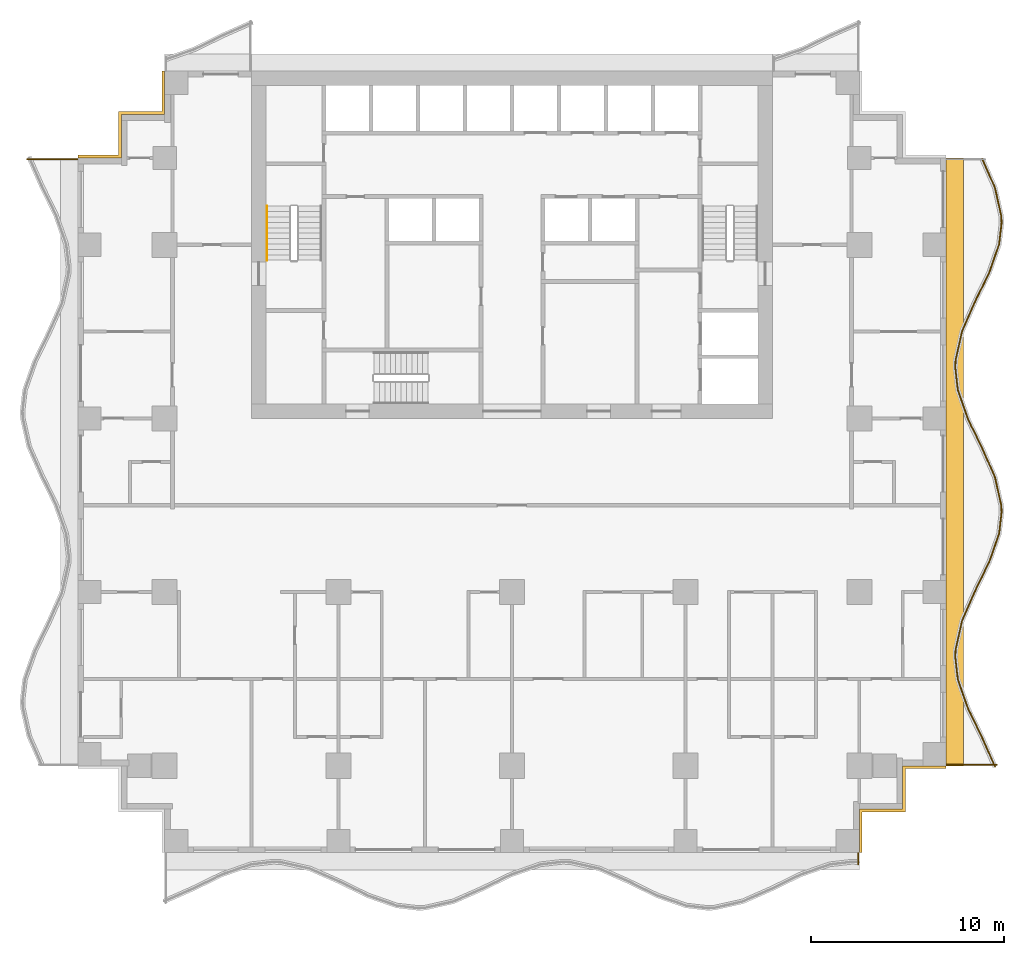
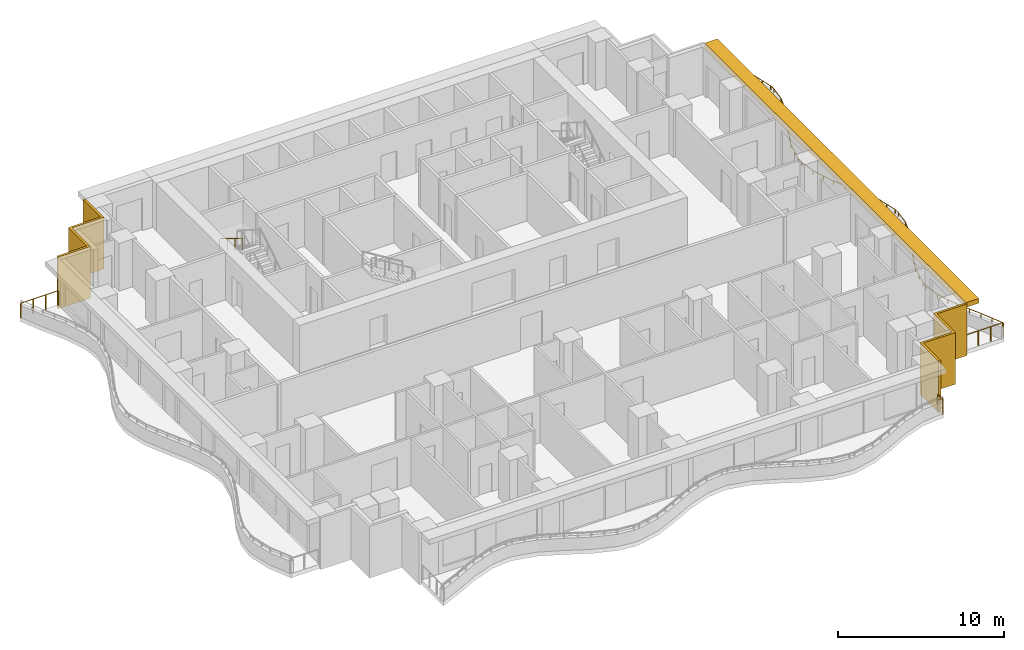
# One storey, part 9 of 10: 5 railings, 3 shading devices.
"""IFC4 building model written with IfcOpenShell, lengths in metres."""

from ifc_helpers import new_model, si_unit, direction, frame, origin, origin_2d, place, context, subcontext, project, spatial, polyline, rectangle, circle, outline, extrude, material, layer, layer_set, type_object, element, save


model = new_model("IFC4")

# Units and contexts
model_context = context("Model", 3, precision=1e-05, world=origin(), true_north=direction((0.0, 1.0)))
body_context = subcontext(model_context, "Body", "Model", "MODEL_VIEW")
ifc_project = project(units=[si_unit("LENGTHUNIT", "METRE"), si_unit("AREAUNIT", "SQUARE_METRE"), si_unit("VOLUMEUNIT", "CUBIC_METRE"), si_unit("PLANEANGLEUNIT", "RADIAN"), si_unit("MASSUNIT", "GRAM", prefix="KILO")], contexts=[model_context])

# Site, building, storey
site_placement = place(None, origin())
site = spatial("IfcSite", under=ifc_project, at=site_placement, CompositionType="ELEMENT")
building_placement = place(site_placement, origin())
building = spatial("IfcBuilding", under=site, at=building_placement, Name="Orbiselva Terraces", CompositionType="ELEMENT")
storey_placement = place(building_placement, frame((0.0, 0.0, 125.0)))
storey = spatial("IfcBuildingStorey", under=building, at=storey_placement, Name="L31", CompositionType="ELEMENT", Elevation=125.0)

# Railings
ifc_material_1 = material(Name="Stainless steel", Category="steel")
railing_type_1 = type_object("IfcRailingType", Name="CORE-HANDRAIL-900", PredefinedType="HANDRAIL", material=ifc_material_1)
railing_1_placement = place(storey_placement, frame((-12.7, 15.5, 2.072727)))
element("IfcRailing", 1, at=railing_1_placement, inside=storey, type_object=railing_type_1, Name="L31 S1 stair handrail 2", PredefinedType="HANDRAIL", context=body_context, shape_type="SweptSolid", body=[
    extrude(circle(Radius=0.024, at=origin_2d()), frame((0.0, 0.0, 0.876), z_axis=(0.0, -0.851088519012, 0.52502222125), x_axis=(1.0, 0.0, 0.0)), (0.0, 0.0, 1.0), 3.289905),
    extrude(circle(Radius=0.021, at=origin_2d()), origin(), (0.0, 0.0, 1.0), 0.852),
    extrude(circle(Radius=0.021, at=origin_2d()), frame((0.0, -0.933333, 0.575758)), (0.0, 0.0, 1.0), 0.852),
    extrude(circle(Radius=0.021, at=origin_2d()), frame((0.0, -1.866667, 1.151515)), (0.0, 0.0, 1.0), 0.852),
    extrude(circle(Radius=0.021, at=origin_2d()), frame((0.0, -2.8, 1.727273)), (0.0, 0.0, 1.0), 0.852),
])
ifc_material_2 = material(Name="Bonded two-ply safety glass balustrade, stainless steel posts", Category="steel")
railing_type_2 = type_object("IfcRailingType", Name="ENV-BALUSTRADE-1200", PredefinedType="BALUSTRADE", material=ifc_material_2)
railing_2_placement = place(storey_placement, frame((25.034136, -13.550394, 0.9)))
element("IfcRailing", 2, at=railing_2_placement, inside=storey, type_object=railing_type_2, Name="Balcony balustrade L31 E", PredefinedType="BALUSTRADE", context=body_context, shape_type="SweptSolid", body=[
    extrude(outline(polyline([(0.028868, 0.0), (0.014434, 0.025), (-0.014434, 0.025), (-0.028868, 0.0), (-0.014434, -0.025), (0.014434, -0.025), (0.028868, 0.0)])), frame((0.0, 0.0, 0.275), z_axis=(-0.403150940408, 0.915133498047, 0.0), x_axis=(-0.915133498047, -0.403150940408, 0.0)), (0.0, 0.0, 1.0), 1.636648),
    extrude(outline(polyline([(0.028868, 0.0), (0.014434, 0.025), (-0.014434, 0.025), (-0.028868, 0.0), (-0.014434, -0.025), (0.014434, -0.025), (0.028868, 0.0)])), frame((-0.659816, 1.497751, 0.275), z_axis=(-0.438812048596, 0.898578870221, 0.0), x_axis=(-0.898578870221, -0.438812048596, 0.0)), (0.0, 0.0, 1.0), 1.674225),
    extrude(outline(polyline([(0.028868, 0.0), (0.014434, 0.025), (-0.014434, 0.025), (-0.028868, 0.0), (-0.014434, -0.025), (0.014434, -0.025), (0.028868, 0.0)])), frame((-1.394486, 3.002174, 0.275), z_axis=(-0.330024597479, 0.943972332783, 0.0), x_axis=(-0.943972332783, -0.330024597479, 0.0)), (0.0, 0.0, 1.0), 1.610253),
    extrude(outline(polyline([(0.028868, 0.0), (0.014434, 0.025), (-0.014434, 0.025), (-0.028868, 0.0), (-0.014434, -0.025), (0.014434, -0.025), (0.028868, 0.0)])), frame((-1.925909, 4.522208, 0.275), z_axis=(-0.115482182324, 0.993309551734, 0.0), x_axis=(-0.993309551734, -0.115482182324, 0.0)), (0.0, 0.0, 1.0), 1.156135),
    extrude(outline(polyline([(0.028868, 0.0), (0.014434, 0.025), (-0.014434, 0.025), (-0.028868, 0.0), (-0.014434, -0.025), (0.014434, -0.025), (0.028868, 0.0)])), frame((-2.059422, 5.670608, 0.275), z_axis=(0.03936915532, 0.999224734286, 0.0), x_axis=(-0.999224734286, 0.03936915532, 0.0)), (0.0, 0.0, 1.0), 0.396376),
    extrude(outline(polyline([(0.028868, 0.0), (0.014434, 0.025), (-0.014434, 0.025), (-0.028868, 0.0), (-0.014434, -0.025), (0.014434, -0.025), (0.028868, 0.0)])), frame((-2.043817, 6.066677, 0.275), z_axis=(0.219015500924, 0.97572137947, 0.0), x_axis=(-0.97572137947, 0.219015500924, 0.0)), (0.0, 0.0, 1.0), 1.560867),
    extrude(outline(polyline([(0.028868, 0.0), (0.014434, 0.025), (-0.014434, 0.025), (-0.028868, 0.0), (-0.014434, -0.025), (0.014434, -0.025), (0.028868, 0.0)])), frame((-1.701963, 7.589648, 0.275), z_axis=(0.403150874148, 0.915133527237, 0.0), x_axis=(-0.915133527237, 0.403150874148, 0.0)), (0.0, 0.0, 1.0), 1.653736),
    extrude(outline(polyline([(0.028868, 0.0), (0.014434, 0.025), (-0.014434, 0.025), (-0.028868, 0.0), (-0.014434, -0.025), (0.014434, -0.025), (0.028868, 0.0)])), frame((-1.035258, 9.103037, 0.275), z_axis=(0.438811978768, 0.89857890432, 0.0), x_axis=(-0.89857890432, 0.438811978768, 0.0)), (0.0, 0.0, 1.0), 1.66438),
    extrude(outline(polyline([(0.028868, 0.0), (0.014434, 0.025), (-0.014434, 0.025), (-0.028868, 0.0), (-0.014434, -0.025), (0.014434, -0.025), (0.028868, 0.0)])), frame((-0.304908, 10.598614, 0.275), z_axis=(0.330024754707, 0.943972277814, 0.0), x_axis=(-0.943972277814, 0.330024754707, 0.0)), (0.0, 0.0, 1.0), 1.567807),
    extrude(outline(polyline([(0.028868, 0.0), (0.014434, 0.025), (-0.014434, 0.025), (-0.028868, 0.0), (-0.014434, -0.025), (0.014434, -0.025), (0.028868, 0.0)])), frame((0.212507, 12.07858, 0.275), z_axis=(0.115481264762, 0.993309658409, 0.0), x_axis=(-0.993309658409, 0.115481264762, 0.0)), (0.0, 0.0, 1.0), 1.10902),
    extrude(outline(polyline([(0.028868, 0.0), (0.014434, 0.025), (-0.014434, 0.025), (-0.028868, 0.0), (-0.014434, -0.025), (0.014434, -0.025), (0.028868, 0.0)])), frame((0.340578, 13.18018, 0.275), z_axis=(-0.039364150694, 0.999224931454, 0.0), x_axis=(-0.999224931454, -0.039364150694, 0.0)), (0.0, 0.0, 1.0), 0.354206),
    extrude(outline(polyline([(0.028868, 0.0), (0.014434, 0.025), (-0.014434, 0.025), (-0.028868, 0.0), (-0.014434, -0.025), (0.014434, -0.025), (0.028868, 0.0)])), frame((0.326635, 13.534111, 0.275), z_axis=(-0.219015740235, 0.975721325753, 0.0), x_axis=(-0.975721325753, -0.219015740235, 0.0)), (0.0, 0.0, 1.0), 1.513782),
    extrude(outline(polyline([(0.028868, 0.0), (0.014434, 0.025), (-0.014434, 0.025), (-0.028868, 0.0), (-0.014434, -0.025), (0.014434, -0.025), (0.028868, 0.0)])), frame((-0.004907, 15.01114, 0.275), z_axis=(-0.403151245402, 0.915133363686, 0.0), x_axis=(-0.915133363686, -0.403151245402, 0.0)), (0.0, 0.0, 1.0), 1.624475),
    extrude(outline(polyline([(0.028868, 0.0), (0.014434, 0.025), (-0.014434, 0.025), (-0.028868, 0.0), (-0.014434, -0.025), (0.014434, -0.025), (0.028868, 0.0)])), frame((-0.659816, 16.497751, 0.275), z_axis=(-0.438812048596, 0.898578870221, 0.0), x_axis=(-0.898578870221, -0.438812048596, 0.0)), (0.0, 0.0, 1.0), 1.674225),
    extrude(outline(polyline([(0.028868, 0.0), (0.014434, 0.025), (-0.014434, 0.025), (-0.028868, 0.0), (-0.014434, -0.025), (0.014434, -0.025), (0.028868, 0.0)])), frame((-1.394486, 18.002174, 0.275), z_axis=(-0.330024597479, 0.943972332783, 0.0), x_axis=(-0.943972332783, -0.330024597479, 0.0)), (0.0, 0.0, 1.0), 1.610253),
    extrude(outline(polyline([(0.028868, 0.0), (0.014434, 0.025), (-0.014434, 0.025), (-0.028868, 0.0), (-0.014434, -0.025), (0.014434, -0.025), (0.028868, 0.0)])), frame((-1.925909, 19.522208, 0.275), z_axis=(-0.115482182324, 0.993309551734, 0.0), x_axis=(-0.993309551734, -0.115482182324, 0.0)), (0.0, 0.0, 1.0), 1.156135),
    extrude(outline(polyline([(0.028868, 0.0), (0.014434, 0.025), (-0.014434, 0.025), (-0.028868, 0.0), (-0.014434, -0.025), (0.014434, -0.025), (0.028868, 0.0)])), frame((-2.059422, 20.670608, 0.275), z_axis=(0.03936915532, 0.999224734286, 0.0), x_axis=(-0.999224734286, 0.03936915532, 0.0)), (0.0, 0.0, 1.0), 0.396376),
    extrude(outline(polyline([(0.028868, 0.0), (0.014434, 0.025), (-0.014434, 0.025), (-0.028868, 0.0), (-0.014434, -0.025), (0.014434, -0.025), (0.028868, 0.0)])), frame((-2.043817, 21.066677, 0.275), z_axis=(0.219015500924, 0.97572137947, 0.0), x_axis=(-0.97572137947, 0.219015500924, 0.0)), (0.0, 0.0, 1.0), 1.560867),
    extrude(outline(polyline([(0.028868, 0.0), (0.014434, 0.025), (-0.014434, 0.025), (-0.028868, 0.0), (-0.014434, -0.025), (0.014434, -0.025), (0.028868, 0.0)])), frame((-1.701963, 22.589648, 0.275), z_axis=(0.403150874148, 0.915133527237, 0.0), x_axis=(-0.915133527237, 0.403150874148, 0.0)), (0.0, 0.0, 1.0), 1.653736),
    extrude(outline(polyline([(0.028868, 0.0), (0.014434, 0.025), (-0.014434, 0.025), (-0.028868, 0.0), (-0.014434, -0.025), (0.014434, -0.025), (0.028868, 0.0)])), frame((-1.035258, 24.103037, 0.275), z_axis=(0.438811978768, 0.89857890432, 0.0), x_axis=(-0.89857890432, 0.438811978768, 0.0)), (0.0, 0.0, 1.0), 1.66438),
    extrude(outline(polyline([(0.028868, 0.0), (0.014434, 0.025), (-0.014434, 0.025), (-0.028868, 0.0), (-0.014434, -0.025), (0.014434, -0.025), (0.028868, 0.0)])), frame((-0.304908, 25.598614, 0.275), z_axis=(0.330024754707, 0.943972277814, 0.0), x_axis=(-0.943972277814, 0.330024754707, 0.0)), (0.0, 0.0, 1.0), 1.567807),
    extrude(outline(polyline([(0.028868, 0.0), (0.014434, 0.025), (-0.014434, 0.025), (-0.028868, 0.0), (-0.014434, -0.025), (0.014434, -0.025), (0.028868, 0.0)])), frame((0.212507, 27.07858, 0.275), z_axis=(0.115481264762, 0.993309658409, 0.0), x_axis=(-0.993309658409, 0.115481264762, 0.0)), (0.0, 0.0, 1.0), 1.10902),
    extrude(outline(polyline([(0.028868, 0.0), (0.014434, 0.025), (-0.014434, 0.025), (-0.028868, 0.0), (-0.014434, -0.025), (0.014434, -0.025), (0.028868, 0.0)])), frame((0.340578, 28.18018, 0.275), z_axis=(-0.039364150694, 0.999224931454, 0.0), x_axis=(-0.999224931454, -0.039364150694, 0.0)), (0.0, 0.0, 1.0), 0.354206),
    extrude(outline(polyline([(0.028868, 0.0), (0.014434, 0.025), (-0.014434, 0.025), (-0.028868, 0.0), (-0.014434, -0.025), (0.014434, -0.025), (0.028868, 0.0)])), frame((0.326635, 28.534111, 0.275), z_axis=(-0.219015740235, 0.975721325753, 0.0), x_axis=(-0.975721325753, -0.219015740235, 0.0)), (0.0, 0.0, 1.0), 1.513782),
    extrude(outline(polyline([(0.028868, 0.0), (0.014434, 0.025), (-0.014434, 0.025), (-0.028868, 0.0), (-0.014434, -0.025), (0.014434, -0.025), (0.028868, 0.0)])), frame((-0.004907, 30.01114, 0.275), z_axis=(-0.403151363532, 0.915133311645, 0.0), x_axis=(-0.915133311645, -0.403151363532, 0.0)), (0.0, 0.0, 1.0), 1.626932),
    extrude(rectangle(XDim=0.05, YDim=0.05, at=origin_2d()), origin(), (0.0, 0.0, 1.0), 0.25),
    extrude(rectangle(XDim=0.05, YDim=0.05, at=origin_2d()), frame((-0.329908, 0.748876, 0.0)), (0.0, 0.0, 1.0), 0.25),
    extrude(rectangle(XDim=0.05, YDim=0.05, at=origin_2d()), frame((-0.659816, 1.497751, 0.0)), (0.0, 0.0, 1.0), 0.25),
    extrude(rectangle(XDim=0.05, YDim=0.05, at=origin_2d()), frame((-1.027151, 2.249963, 0.0)), (0.0, 0.0, 1.0), 0.25),
    extrude(rectangle(XDim=0.05, YDim=0.05, at=origin_2d()), frame((-1.394486, 3.002174, 0.0)), (0.0, 0.0, 1.0), 0.25),
    extrude(rectangle(XDim=0.05, YDim=0.05, at=origin_2d()), frame((-1.660198, 3.762191, 0.0)), (0.0, 0.0, 1.0), 0.25),
    extrude(rectangle(XDim=0.05, YDim=0.05, at=origin_2d()), frame((-1.925909, 4.522208, 0.0)), (0.0, 0.0, 1.0), 0.25),
    extrude(rectangle(XDim=0.05, YDim=0.05, at=origin_2d()), frame((-2.059422, 5.670608, 0.0)), (0.0, 0.0, 1.0), 0.25),
    extrude(rectangle(XDim=0.05, YDim=0.05, at=origin_2d()), frame((-2.043817, 6.066677, 0.0)), (0.0, 0.0, 1.0), 0.25),
    extrude(rectangle(XDim=0.05, YDim=0.05, at=origin_2d()), frame((-1.87289, 6.828162, 0.0)), (0.0, 0.0, 1.0), 0.25),
    extrude(rectangle(XDim=0.05, YDim=0.05, at=origin_2d()), frame((-1.701963, 7.589648, 0.0)), (0.0, 0.0, 1.0), 0.25),
    extrude(rectangle(XDim=0.05, YDim=0.05, at=origin_2d()), frame((-1.36861, 8.346342, 0.0)), (0.0, 0.0, 1.0), 0.25),
    extrude(rectangle(XDim=0.05, YDim=0.05, at=origin_2d()), frame((-1.035258, 9.103037, 0.0)), (0.0, 0.0, 1.0), 0.25),
    extrude(rectangle(XDim=0.05, YDim=0.05, at=origin_2d()), frame((-0.670083, 9.850826, 0.0)), (0.0, 0.0, 1.0), 0.25),
    extrude(rectangle(XDim=0.05, YDim=0.05, at=origin_2d()), frame((-0.304908, 10.598614, 0.0)), (0.0, 0.0, 1.0), 0.25),
    extrude(rectangle(XDim=0.05, YDim=0.05, at=origin_2d()), frame((-0.046201, 11.338597, 0.0)), (0.0, 0.0, 1.0), 0.25),
    extrude(rectangle(XDim=0.05, YDim=0.05, at=origin_2d()), frame((0.212507, 12.07858, 0.0)), (0.0, 0.0, 1.0), 0.25),
    extrude(rectangle(XDim=0.05, YDim=0.05, at=origin_2d()), frame((0.340578, 13.18018, 0.0)), (0.0, 0.0, 1.0), 0.25),
    extrude(rectangle(XDim=0.05, YDim=0.05, at=origin_2d()), frame((0.326635, 13.534111, 0.0)), (0.0, 0.0, 1.0), 0.25),
    extrude(rectangle(XDim=0.05, YDim=0.05, at=origin_2d()), frame((0.160864, 14.272626, 0.0)), (0.0, 0.0, 1.0), 0.25),
    extrude(rectangle(XDim=0.05, YDim=0.05, at=origin_2d()), frame((-0.004907, 15.01114, 0.0)), (0.0, 0.0, 1.0), 0.25),
    extrude(rectangle(XDim=0.05, YDim=0.05, at=origin_2d()), frame((-0.332361, 15.754446, 0.0)), (0.0, 0.0, 1.0), 0.25),
    extrude(rectangle(XDim=0.05, YDim=0.05, at=origin_2d()), frame((-0.659816, 16.497751, 0.0)), (0.0, 0.0, 1.0), 0.25),
    extrude(rectangle(XDim=0.05, YDim=0.05, at=origin_2d()), frame((-1.027151, 17.249963, 0.0)), (0.0, 0.0, 1.0), 0.25),
    extrude(rectangle(XDim=0.05, YDim=0.05, at=origin_2d()), frame((-1.394486, 18.002174, 0.0)), (0.0, 0.0, 1.0), 0.25),
    extrude(rectangle(XDim=0.05, YDim=0.05, at=origin_2d()), frame((-1.660198, 18.762191, 0.0)), (0.0, 0.0, 1.0), 0.25),
    extrude(rectangle(XDim=0.05, YDim=0.05, at=origin_2d()), frame((-1.925909, 19.522208, 0.0)), (0.0, 0.0, 1.0), 0.25),
    extrude(rectangle(XDim=0.05, YDim=0.05, at=origin_2d()), frame((-2.059422, 20.670608, 0.0)), (0.0, 0.0, 1.0), 0.25),
    extrude(rectangle(XDim=0.05, YDim=0.05, at=origin_2d()), frame((-2.043817, 21.066677, 0.0)), (0.0, 0.0, 1.0), 0.25),
    extrude(rectangle(XDim=0.05, YDim=0.05, at=origin_2d()), frame((-1.87289, 21.828162, 0.0)), (0.0, 0.0, 1.0), 0.25),
    extrude(rectangle(XDim=0.05, YDim=0.05, at=origin_2d()), frame((-1.701963, 22.589648, 0.0)), (0.0, 0.0, 1.0), 0.25),
    extrude(rectangle(XDim=0.05, YDim=0.05, at=origin_2d()), frame((-1.36861, 23.346342, 0.0)), (0.0, 0.0, 1.0), 0.25),
    extrude(rectangle(XDim=0.05, YDim=0.05, at=origin_2d()), frame((-1.035258, 24.103037, 0.0)), (0.0, 0.0, 1.0), 0.25),
    extrude(rectangle(XDim=0.05, YDim=0.05, at=origin_2d()), frame((-0.670083, 24.850826, 0.0)), (0.0, 0.0, 1.0), 0.25),
    extrude(rectangle(XDim=0.05, YDim=0.05, at=origin_2d()), frame((-0.304908, 25.598614, 0.0)), (0.0, 0.0, 1.0), 0.25),
    extrude(rectangle(XDim=0.05, YDim=0.05, at=origin_2d()), frame((-0.046201, 26.338597, 0.0)), (0.0, 0.0, 1.0), 0.25),
    extrude(rectangle(XDim=0.05, YDim=0.05, at=origin_2d()), frame((0.212507, 27.07858, 0.0)), (0.0, 0.0, 1.0), 0.25),
    extrude(rectangle(XDim=0.05, YDim=0.05, at=origin_2d()), frame((0.340578, 28.18018, 0.0)), (0.0, 0.0, 1.0), 0.25),
    extrude(rectangle(XDim=0.05, YDim=0.05, at=origin_2d()), frame((0.326635, 28.534111, 0.0)), (0.0, 0.0, 1.0), 0.25),
    extrude(rectangle(XDim=0.05, YDim=0.05, at=origin_2d()), frame((0.160864, 29.272626, 0.0)), (0.0, 0.0, 1.0), 0.25),
    extrude(rectangle(XDim=0.05, YDim=0.05, at=origin_2d()), frame((-0.004907, 30.01114, 0.0)), (0.0, 0.0, 1.0), 0.25),
    extrude(rectangle(XDim=0.05, YDim=0.05, at=origin_2d()), frame((-0.332857, 30.75557, 0.0)), (0.0, 0.0, 1.0), 0.25),
    extrude(rectangle(XDim=0.05, YDim=0.05, at=origin_2d()), frame((-0.660807, 31.5, 0.0)), (0.0, 0.0, 1.0), 0.25),
])
ifc_material_3 = material(Name="Stainless steel rail and posts", Category="steel")
railing_type_3 = type_object("IfcRailingType", Name="ENV-GUARD-1105", PredefinedType="BALUSTRADE", material=ifc_material_3)
railing_3_placement = place(storey_placement, frame((17.94, -18.610431, 0.0)))
element("IfcRailing", 3, at=railing_3_placement, inside=storey, type_object=railing_type_3, Name="Balcony end guard L31 S", PredefinedType="BALUSTRADE", context=body_context, shape_type="SweptSolid", body=[
    extrude(outline(polyline([(0.028868, 0.0), (0.014434, 0.025), (-0.014434, 0.025), (-0.028868, 0.0), (-0.014434, -0.025), (0.014434, -0.025), (0.028868, 0.0)])), frame((0.0, 0.0, 1.08), z_axis=(0.0, 1.0, 0.0), x_axis=(-1.0, 0.0, 0.0)), (0.0, 0.0, 1.0), 0.585431),
    extrude(rectangle(XDim=0.05, YDim=0.05, at=origin_2d()), origin(), (0.0, 0.0, 1.0), 1.055),
    extrude(rectangle(XDim=0.05, YDim=0.05, at=origin_2d()), frame((0.0, 0.585431, 0.0)), (0.0, 0.0, 1.0), 1.055),
])
railing_4_placement = place(storey_placement, frame((25.126937, -13.44, 0.0)))
element("IfcRailing", 4, at=railing_4_placement, inside=storey, type_object=railing_type_3, Name="Balcony end guard L31 E", PredefinedType="BALUSTRADE", context=body_context, shape_type="SweptSolid", body=[
    extrude(outline(polyline([(0.028868, 0.0), (0.014434, 0.025), (-0.014434, 0.025), (-0.028868, 0.0), (-0.014434, -0.025), (0.014434, -0.025), (0.028868, 0.0)])), frame((0.0, 0.0, 1.08), z_axis=(-1.0, 0.0, 0.0), x_axis=(0.0, -1.0, 0.0)), (0.0, 0.0, 1.0), 2.601937),
    extrude(rectangle(XDim=0.05, YDim=0.05, at=origin_2d()), origin(), (0.0, 0.0, 1.0), 1.055),
    extrude(rectangle(XDim=0.05, YDim=0.05, at=origin_2d()), frame((-0.867312, 0.0, 0.0)), (0.0, 0.0, 1.0), 1.055),
    extrude(rectangle(XDim=0.05, YDim=0.05, at=origin_2d()), frame((-1.734625, 0.0, 0.0)), (0.0, 0.0, 1.0), 1.055),
    extrude(rectangle(XDim=0.05, YDim=0.05, at=origin_2d()), frame((-2.601937, 0.0, 0.0)), (0.0, 0.0, 1.0), 1.055),
])
railing_5_placement = place(storey_placement, frame((-25.126937, 17.94, 0.0)))
element("IfcRailing", 5, at=railing_5_placement, inside=storey, type_object=railing_type_3, Name="Balcony end guard L31 W", PredefinedType="BALUSTRADE", context=body_context, shape_type="SweptSolid", body=[
    extrude(outline(polyline([(0.028868, 0.0), (0.014434, 0.025), (-0.014434, 0.025), (-0.028868, 0.0), (-0.014434, -0.025), (0.014434, -0.025), (0.028868, 0.0)])), frame((0.0, 0.0, 1.08), z_axis=(1.0, 0.0, 0.0), x_axis=(0.0, 1.0, 0.0)), (0.0, 0.0, 1.0), 2.601937),
    extrude(rectangle(XDim=0.05, YDim=0.05, at=origin_2d()), origin(), (0.0, 0.0, 1.0), 1.055),
    extrude(rectangle(XDim=0.05, YDim=0.05, at=origin_2d()), frame((0.867312, 0.0, 0.0)), (0.0, 0.0, 1.0), 1.055),
    extrude(rectangle(XDim=0.05, YDim=0.05, at=origin_2d()), frame((1.734625, 0.0, 0.0)), (0.0, 0.0, 1.0), 1.055),
    extrude(rectangle(XDim=0.05, YDim=0.05, at=origin_2d()), frame((2.601937, 0.0, 0.0)), (0.0, 0.0, 1.0), 1.055),
])

# Shading devices
ifc_material_4 = material(Name="Terracotta louvre screen", Category="masonry")
ifc_layer_1 = layer(ifc_material_4, 0.15)
ifc_layer_set_1 = layer_set([ifc_layer_1], Name="Terracotta louvre screen")
shading_device_type_1 = type_object("IfcShadingDeviceType", Name="ENV-SCREEN-150", PredefinedType="USERDEFINED", material=ifc_layer_set_1)
shading_device_1_placement = place(storey_placement, frame((0.0, 0.0, -0.3)))
element("IfcShadingDevice", 6, at=shading_device_1_placement, inside=storey, type_object=shading_device_type_1, Name="Louvre screen L31 NW", ObjectType="SCREEN", PredefinedType="USERDEFINED", context=body_context, shape_type="SweptSolid", body=[
    extrude(outline(polyline([(-18.15, 22.5), (-18.15, 20.4), (-20.4, 20.4), (-20.4, 18.15), (-22.5, 18.15), (-22.5, 18.0), (-20.25, 18.0), (-20.25, 20.25), (-18.0, 20.25), (-18.0, 22.5), (-18.15, 22.5)])), origin(), (0.0, 0.0, 1.0), 3.8),
])
shading_device_2_placement = place(storey_placement, frame((0.0, 0.0, -0.3)))
element("IfcShadingDevice", 7, at=shading_device_2_placement, inside=storey, type_object=shading_device_type_1, Name="Louvre screen L31 SE", ObjectType="SCREEN", PredefinedType="USERDEFINED", context=body_context, shape_type="SweptSolid", body=[
    extrude(outline(polyline([(18.15, -18.0), (18.15, -15.9), (20.4, -15.9), (20.4, -13.65), (22.5, -13.65), (22.5, -13.5), (20.25, -13.5), (20.25, -15.75), (18.0, -15.75), (18.0, -18.0), (18.15, -18.0)])), origin(), (0.0, 0.0, 1.0), 3.8),
])
ifc_material_5 = material(Name="Terracotta baguette sunshade", Category="masonry")
ifc_layer_2 = layer(ifc_material_5, 0.35)
ifc_layer_set_2 = layer_set([ifc_layer_2], Name="Terracotta baguette sunshade")
shading_device_type_2 = type_object("IfcShadingDeviceType", Name="ENV-SUNSHADE-900x350", PredefinedType="USERDEFINED", material=ifc_layer_set_2)
shading_device_3_placement = place(storey_placement, frame((0.0, 0.0, 3.15)))
element("IfcShadingDevice", 8, at=shading_device_3_placement, inside=storey, type_object=shading_device_type_2, Name="Sunshade band L31 E", ObjectType="SUNSHADE", PredefinedType="USERDEFINED", context=body_context, shape_type="SweptSolid", body=[
    extrude(outline(polyline([(23.4, -13.5), (23.4, 18.0), (22.5, 18.0), (22.5, -13.5), (23.4, -13.5)])), origin(), (0.0, 0.0, 1.0), 0.35),
])

save(model, "model.ifc")
